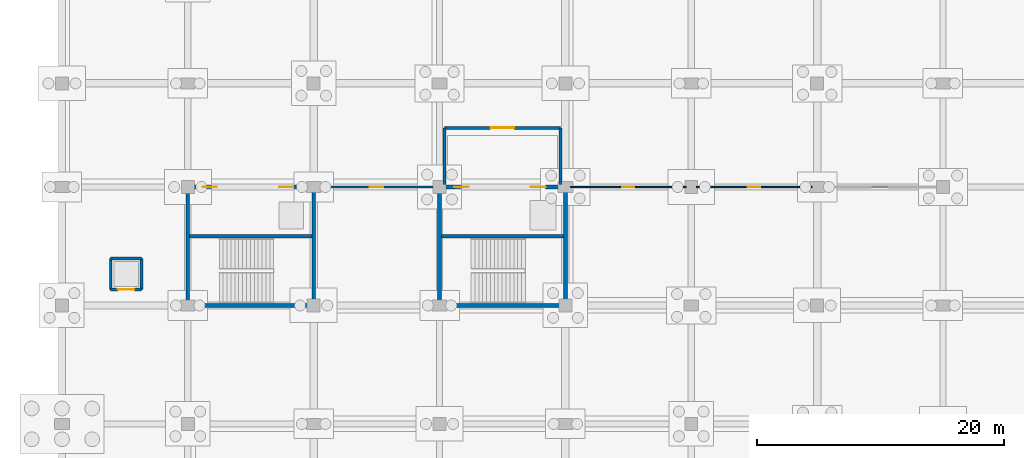
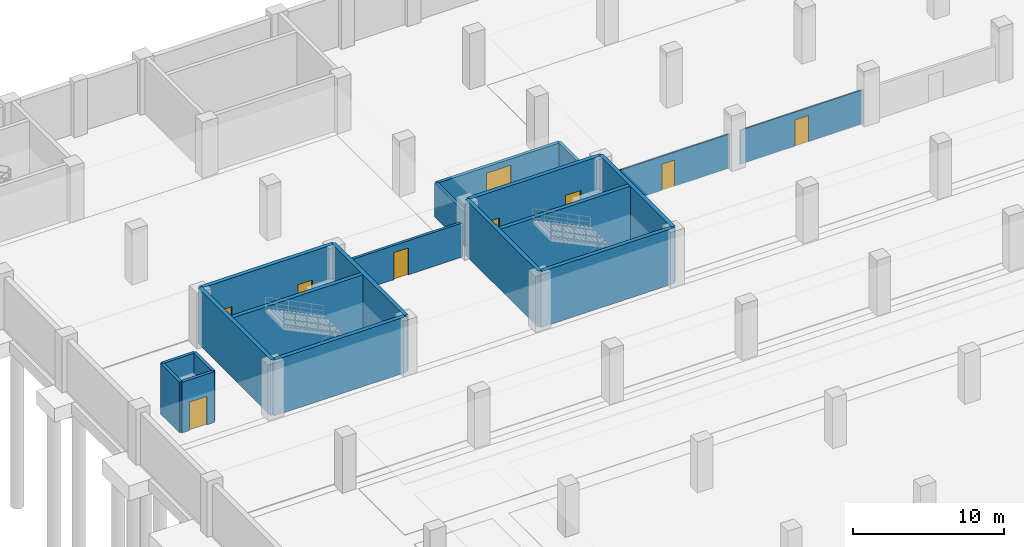
# One storey, part 32 of 52: 20 walls, 9 doors, 9 openings.
"""IFC4 building model written with IfcOpenShell, lengths in metres."""

from ifc_helpers import new_model, si_unit, direction, frame, frame_2d, origin, place, context, subcontext, project, spatial, rectangle, extrude, material, layer, layer_set, type_object, element, fill, save


model = new_model("IFC4")

# Units and contexts
model_context = context("Model", 3, precision=1e-05, world=origin(), true_north=direction((0.0, 1.0)))
body_context = subcontext(model_context, "Body", "Model", "MODEL_VIEW")
ifc_project = project(units=[si_unit("LENGTHUNIT", "METRE"), si_unit("AREAUNIT", "SQUARE_METRE"), si_unit("VOLUMEUNIT", "CUBIC_METRE"), si_unit("PLANEANGLEUNIT", "RADIAN"), si_unit("MASSUNIT", "GRAM", prefix="KILO")], contexts=[model_context])

# Site, building, storey
site_placement = place(None, origin())
site = spatial("IfcSite", under=ifc_project, at=site_placement, CompositionType="ELEMENT")
building_placement = place(site_placement, origin())
building = spatial("IfcBuilding", under=site, at=building_placement, Name="Brelvane Convention Centre", CompositionType="ELEMENT")
storey_placement = place(building_placement, frame((0.0, 0.0, -4.5)))
storey = spatial("IfcBuildingStorey", under=building, at=storey_placement, Name="B1", CompositionType="ELEMENT", Elevation=-4.5)

# Wall, opening, door
ifc_material_1 = material(Name="Fire-Rated Acoustic Gypsum Partition Board Grade A")
ifc_layer_1 = layer(ifc_material_1, 0.199951171875)
ifc_layer_set_1 = layer_set([ifc_layer_1], Name="Fire-Rated Acoustic Gypsum Partition Board Grade A")
wall_type_1 = type_object("IfcWallType", Name="Interior Wall IW-FR-200", PredefinedType="PARTITIONING", material=ifc_layer_set_1)
wall_1_placement = place(storey_placement, frame((20.800048828125, 118.800048828125, 0.0), z_axis=(0.0, 0.0, 1.0), x_axis=(1.0, 0.0, 0.0)))
wall_1 = element("IfcWall", 1, at=wall_1_placement, inside=storey, type_object=wall_type_1, Name="Interior Partition B1-LINEN", PredefinedType="PARTITIONING", context=body_context, shape_type="SweptSolid", body=[
    extrude(rectangle(XDim=9.39990234375, YDim=0.199951171875, at=frame_2d((4.699951171875, 0.0))), origin(), (0.0, 0.0, 1.0), 2.75),
])
opening_1_placement = place(wall_1_placement, frame((4.159912109375, 0.0, 0.0)))
opening_1 = element("IfcOpeningElement", 2, at=opening_1_placement, cuts=wall_1, Name="Opening DR-IN-13L", PredefinedType="OPENING", context=body_context, shape_type="SweptSolid", body=[
    extrude(rectangle(XDim=1.080078125, YDim=2.179931640625, at=frame_2d((0.5400390625, 1.08984375))), frame((0.0, 0.10986328125, 0.0), z_axis=(0.0, -1.0, 0.0), x_axis=(1.0, 0.0, 0.0)), (0.0, 0.0, 1.0), 0.219970703125),
])
ifc_material_2 = material(Name="Solid-Core Fire-Rated Hardwood Leaf Grade 1", Category="wood")
door_type_1 = type_object("IfcDoorType", Name="Interior Door DR-IN-13L", OperationType="NOTDEFINED", PredefinedType="DOOR", material=ifc_material_2)
door_1_placement = place(opening_1_placement, origin())
door_1 = element("IfcDoor", 3, at=door_1_placement, inside=storey, type_object=door_type_1, Name="Interior Door B1-LINEN (DR-IN-13L)", OperationType="SINGLE_SWING_LEFT", OverallHeight=2.179931640625, OverallWidth=1.080078125, PredefinedType="DOOR", context=body_context, shape_type="SweptSolid", body=[
    extrude(rectangle(XDim=1.080078125, YDim=2.179931640625, at=frame_2d((0.5400390625, 1.08984375))), frame((0.0, 0.02490234375, 0.0), z_axis=(0.0, -1.0, 0.0), x_axis=(1.0, 0.0, 0.0)), (0.0, 0.0, 1.0), 0.050048828125),
])
fill(opening_1, door_1)

ifc_material_3 = material(Name="Concrete M40", Category="concrete")
ifc_layer_2 = layer(ifc_material_3, 0.219970703125)
ifc_layer_set_2 = layer_set([ifc_layer_2], Name="Concrete M40")
wall_type_2 = type_object("IfcWallType", Name="Interior Wall IW-FR-220", PredefinedType="PARTITIONING", material=ifc_layer_set_2)
wall_2_placement = place(storey_placement, frame((3.949951171875, 110.5, 0.0), z_axis=(0.0, 0.0, 1.0), x_axis=(1.0, 0.0, 0.0)))
wall_2 = element("IfcWall", 4, at=wall_2_placement, inside=storey, type_object=wall_type_2, Name="Lift LP-06 Shaft Wall S (B1)", PredefinedType="PARTITIONING", context=body_context, shape_type="SweptSolid", body=[
    extrude(rectangle(XDim=2.5, YDim=0.219970703125, at=frame_2d((1.25, 0.0))), origin(), (0.0, 0.0, 1.0), 4.10009765625),
])
opening_2_placement = place(wall_2_placement, frame((0.574951171875, 0.0, 0.0)))
opening_2 = element("IfcOpeningElement", 5, at=opening_2_placement, cuts=wall_2, Name="Opening LD-03", PredefinedType="OPENING", context=body_context, shape_type="SweptSolid", body=[
    extrude(rectangle(XDim=1.35009765625, YDim=2.300048828125, at=frame_2d((0.675048828125, 1.14990234375))), frame((0.0, 0.119873046875, 0.0), z_axis=(0.0, -1.0, 0.0), x_axis=(1.0, 0.0, 0.0)), (0.0, 0.0, 1.0), 0.239990234375),
])
ifc_material_4 = material(Name="Galvanised Hollow-Metal Fire Door Steel E250", Category="steel")
door_type_2 = type_object("IfcDoorType", Name="Interior Door LD-03", OperationType="NOTDEFINED", PredefinedType="DOOR", material=ifc_material_4)
door_2_placement = place(opening_2_placement, origin())
door_2 = element("IfcDoor", 6, at=door_2_placement, inside=storey, type_object=door_type_2, Name="Lift LP-06 Landing Door (B1)", OperationType="DOUBLE_DOOR_SLIDING", OverallHeight=2.300048828125, OverallWidth=1.35009765625, PredefinedType="DOOR", context=body_context, shape_type="SweptSolid", body=[
    extrude(rectangle(XDim=1.35009765625, YDim=2.300048828125, at=frame_2d((0.675048828125, 1.14990234375))), frame((0.0, 0.02490234375, 0.0), z_axis=(0.0, -1.0, 0.0), x_axis=(1.0, 0.0, 0.0)), (0.0, 0.0, 1.0), 0.050048828125),
])
fill(opening_2, door_2)

# Walls
for number, where, z_axis, x_axis, name in (
    (7, (3.949951171875, 113.0, 0.0), (0.0, 0.0, 1.0), (1.0, 0.0, 0.0), "Lift LP-06 Shaft Wall N (B1)"),
    (8, (3.949951171875, 110.5, 0.0), (0.0, 0.0, 1.0), (0.0, 1.0, 0.0), "Lift LP-06 Shaft Wall W (B1)"),
    (9, (6.449951171875, 110.5, 0.0), (0.0, 0.0, 1.0), (0.0, 1.0, 0.0), "Lift LP-06 Shaft Wall E (B1)"),
):
    element("IfcWall", number, at=place(storey_placement, frame(where, z_axis=z_axis, x_axis=x_axis)), inside=storey, type_object=wall_type_2, Name=name, PredefinedType="PARTITIONING", context=body_context, shape_type="SweptSolid", body=[
        extrude(rectangle(XDim=2.5, YDim=0.219970703125, at=frame_2d((1.25, 0.0))), origin(), (0.0, 0.0, 1.0), 4.10009765625),
    ])

# Wall, opening, door
ifc_material_5 = material(Name="Concrete M40", Category="concrete")
ifc_layer_3 = layer(ifc_material_5, 0.239990234375)
ifc_layer_set_3 = layer_set([ifc_layer_3], Name="Concrete M40")
wall_type_3 = type_object("IfcWallType", Name="Interior Wall IW-FR-240", PredefinedType="PARTITIONING", material=ifc_layer_set_3)
wall_3_placement = place(storey_placement, frame((31.0, 123.60009765625, 0.0), z_axis=(0.0, 0.0, 1.0), x_axis=(1.0, 0.0, 0.0)))
wall_3 = element("IfcWall", 10, at=wall_3_placement, inside=storey, type_object=wall_type_3, Name="Firefighting Lobby C7 Wall N (B1)", PredefinedType="PARTITIONING", context=body_context, shape_type="SweptSolid", body=[
    extrude(rectangle(XDim=9.39990234375, YDim=0.239990234375, at=frame_2d((4.699951171875, 0.0))), origin(), (0.0, 0.0, 1.0), 2.75),
])
opening_3_placement = place(wall_3_placement, frame((3.75, 0.0, 0.0)))
opening_3 = element("IfcOpeningElement", 11, at=opening_3_placement, cuts=wall_3, Name="Opening DR-FL-01", PredefinedType="OPENING", context=body_context, shape_type="SweptSolid", body=[
    extrude(rectangle(XDim=1.89990234375, YDim=2.25, at=frame_2d((0.949951171875, 1.125))), frame((0.0, 0.1298828125, 0.0), z_axis=(0.0, -1.0, 0.0), x_axis=(1.0, 0.0, 0.0)), (0.0, 0.0, 1.0), 0.260009765625),
])
ifc_material_6 = material(Name="Galvanised Hollow-Metal Fire Door Steel E250", Category="steel")
door_type_3 = type_object("IfcDoorType", Name="Interior Door DR-FL-01", OperationType="NOTDEFINED", PredefinedType="DOOR", material=ifc_material_6)
door_3_placement = place(opening_3_placement, origin())
door_3 = element("IfcDoor", 12, at=door_3_placement, inside=storey, type_object=door_type_3, Name="Firefighting Lobby C7 Smoke Door (B1)", OperationType="DOUBLE_DOOR_SINGLE_SWING", OverallHeight=2.25, OverallWidth=1.89990234375, PredefinedType="DOOR", context=body_context, shape_type="SweptSolid", body=[
    extrude(rectangle(XDim=1.89990234375, YDim=2.25, at=frame_2d((0.949951171875, 1.125))), frame((0.0, 0.02490234375, 0.0), z_axis=(0.0, -1.0, 0.0), x_axis=(1.0, 0.0, 0.0)), (0.0, 0.0, 1.0), 0.050048828125),
])
fill(opening_3, door_3)

# Walls
for number, where, z_axis, x_axis, name in (
    (13, (40.39990234375, 119.0, 0.0), (0.0, 0.0, 1.0), (0.0, 1.0, 0.0), "Firefighting Lobby C7 Wall E (B1)"),
    (14, (31.0, 119.0, 0.0), (0.0, 0.0, 1.0), (0.0, 1.0, 0.0), "Firefighting Lobby C7 Wall W (B1)"),
):
    element("IfcWall", number, at=place(storey_placement, frame(where, z_axis=z_axis, x_axis=x_axis)), inside=storey, type_object=wall_type_3, Name=name, PredefinedType="PARTITIONING", context=body_context, shape_type="SweptSolid", body=[
        extrude(rectangle(XDim=4.60009765625, YDim=0.239990234375, at=frame_2d((2.300048828125, 0.0))), origin(), (0.0, 0.0, 1.0), 2.75),
    ])

# Wall, opening, door
ifc_material_7 = material(Name="Fire-Rated Acoustic Gypsum Partition Board Grade A")
ifc_layer_4 = layer(ifc_material_7, 0.10498046875)
ifc_layer_set_4 = layer_set([ifc_layer_4], Name="Fire-Rated Acoustic Gypsum Partition Board Grade A")
wall_type_4 = type_object("IfcWallType", Name="Interior Wall IW-PT-105", PredefinedType="PARTITIONING", material=ifc_layer_set_4)
wall_4_placement = place(storey_placement, frame((51.39990234375, 118.800048828125, 0.0), z_axis=(0.0, 0.0, 1.0), x_axis=(1.0, 0.0, 0.0)))
wall_4 = element("IfcWall", 15, at=wall_4_placement, inside=storey, type_object=wall_type_4, Name="Interior Partition B1-COLDK2", PredefinedType="PARTITIONING", context=body_context, shape_type="SweptSolid", body=[
    extrude(rectangle(XDim=9.400146484375, YDim=0.10498046875, at=frame_2d((4.7001953125, 0.0))), origin(), (0.0, 0.0, 1.0), 2.75),
])
opening_4_placement = place(wall_4_placement, frame((4.18994140625, 0.0, 0.0)))
opening_4 = element("IfcOpeningElement", 16, at=opening_4_placement, cuts=wall_4, Name="Opening DR-IN-12R", PredefinedType="OPENING", context=body_context, shape_type="SweptSolid", body=[
    extrude(rectangle(XDim=1.02001953125, YDim=2.1201171875, at=frame_2d((0.510009765625, 1.06005859375))), frame((0.0, 0.0625, 0.0), z_axis=(0.0, -1.0, 0.0), x_axis=(1.0, 0.0, 0.0)), (0.0, 0.0, 1.0), 0.125),
])
ifc_material_8 = material(Name="Solid-Core Fire-Rated Hardwood Leaf Grade 1", Category="wood")
door_type_4 = type_object("IfcDoorType", Name="Interior Door DR-IN-12R", OperationType="NOTDEFINED", PredefinedType="DOOR", material=ifc_material_8)
door_4_placement = place(opening_4_placement, origin())
door_4 = element("IfcDoor", 17, at=door_4_placement, inside=storey, type_object=door_type_4, Name="Interior Door B1-COLDK2 (DR-IN-12R)", OperationType="SINGLE_SWING_RIGHT", OverallHeight=2.1201171875, OverallWidth=1.02001953125, PredefinedType="DOOR", context=body_context, shape_type="SweptSolid", body=[
    extrude(rectangle(XDim=1.02001953125, YDim=2.1201171875, at=frame_2d((0.510009765625, 1.06005859375))), frame((0.0, 0.02490234375, 0.0), z_axis=(0.0, -1.0, 0.0), x_axis=(1.0, 0.0, 0.0)), (0.0, 0.0, 1.0), 0.050048828125),
])
fill(opening_4, door_4)

ifc_material_9 = material(Name="Fire-Rated Acoustic Gypsum Partition Board Grade A")
ifc_layer_5 = layer(ifc_material_9, 0.114990234375)
ifc_layer_set_5 = layer_set([ifc_layer_5], Name="Fire-Rated Acoustic Gypsum Partition Board Grade A")
wall_type_5 = type_object("IfcWallType", Name="Interior Wall IW-PT-115", PredefinedType="PARTITIONING", material=ifc_layer_set_5)
wall_5_placement = place(storey_placement, frame((41.199951171875, 118.800048828125, 0.0), z_axis=(0.0, 0.0, 1.0), x_axis=(1.0, 0.0, 0.0)))
wall_5 = element("IfcWall", 18, at=wall_5_placement, inside=storey, type_object=wall_type_5, Name="Interior Partition B1-COLDK", PredefinedType="PARTITIONING", context=body_context, shape_type="SweptSolid", body=[
    extrude(rectangle(XDim=9.400146484375, YDim=0.114990234375, at=frame_2d((4.7001953125, 0.0))), origin(), (0.0, 0.0, 1.0), 2.75),
])
opening_5_placement = place(wall_5_placement, frame((4.2099609375, 0.0, 0.0)))
opening_5 = element("IfcOpeningElement", 19, at=opening_5_placement, cuts=wall_5, Name="Opening DR-IN-12L", PredefinedType="OPENING", context=body_context, shape_type="SweptSolid", body=[
    extrude(rectangle(XDim=0.97998046875, YDim=2.1201171875, at=frame_2d((0.489990234375, 1.06005859375))), frame((0.0, 0.0673828125, 0.0), z_axis=(0.0, -1.0, 0.0), x_axis=(1.0, 0.0, 0.0)), (0.0, 0.0, 1.0), 0.135009765625),
])
ifc_material_10 = material(Name="Solid-Core Fire-Rated Hardwood Leaf Grade 1", Category="wood")
door_type_5 = type_object("IfcDoorType", Name="Interior Door DR-IN-12L", OperationType="NOTDEFINED", PredefinedType="DOOR", material=ifc_material_10)
door_5_placement = place(opening_5_placement, origin())
door_5 = element("IfcDoor", 20, at=door_5_placement, inside=storey, type_object=door_type_5, Name="Interior Door B1-COLDK (DR-IN-12L)", OperationType="SINGLE_SWING_LEFT", OverallHeight=2.1201171875, OverallWidth=0.97998046875, PredefinedType="DOOR", context=body_context, shape_type="SweptSolid", body=[
    extrude(rectangle(XDim=0.97998046875, YDim=2.1201171875, at=frame_2d((0.489990234375, 1.06005859375))), frame((0.0, 0.02490234375, 0.0), z_axis=(0.0, -1.0, 0.0), x_axis=(1.0, 0.0, 0.0)), (0.0, 0.0, 1.0), 0.050048828125),
])
fill(opening_5, door_5)

# Wall
ifc_material_11 = material(Name="Concrete M50", Category="concrete")
ifc_layer_6 = layer(ifc_material_11, 0.300048828125)
ifc_layer_set_6 = layer_set([ifc_layer_6], Name="Concrete M50")
wall_type_6 = type_object("IfcWallType", Name="Structural Wall WL-CORE-300", PredefinedType="SHEAR", material=ifc_layer_set_6)
wall_6_placement = place(storey_placement, frame((10.199951171875, 109.199951171875, 0.0), z_axis=(0.0, 0.0, 1.0), x_axis=(1.0, 0.0, 0.0)))
element("IfcWall", 21, at=wall_6_placement, inside=storey, type_object=wall_type_6, Name="Core C6 Shear Wall S (B1)", PredefinedType="SHEAR", context=body_context, shape_type="SweptSolid", body=[
    extrude(rectangle(XDim=10.199951171875, YDim=0.300048828125, at=frame_2d((5.10009765625, 0.0))), origin(), (0.0, 0.0, 1.0), 4.5),
])

# Wall, openings, doors
wall_7_placement = place(storey_placement, frame((10.199951171875, 118.800048828125, 0.0), z_axis=(0.0, 0.0, 1.0), x_axis=(1.0, 0.0, 0.0)))
wall_7 = element("IfcWall", 22, at=wall_7_placement, inside=storey, type_object=wall_type_6, Name="Core C6 Shear Wall N (B1)", PredefinedType="SHEAR", context=body_context, shape_type="SweptSolid", body=[
    extrude(rectangle(XDim=10.199951171875, YDim=0.300048828125, at=frame_2d((5.10009765625, 0.0))), origin(), (0.0, 0.0, 1.0), 4.5),
])
opening_6_placement = place(wall_7_placement, frame((1.199951171875, 0.0, 0.0)))
opening_6 = element("IfcOpeningElement", 23, at=opening_6_placement, cuts=wall_7, Name="Opening DR-IN-04L", PredefinedType="OPENING", context=body_context, shape_type="SweptSolid", body=[
    extrude(rectangle(XDim=1.159912109375, YDim=2.199951171875, at=frame_2d((0.580078125, 1.10009765625))), frame((0.0, 0.159912109375, 0.0), z_axis=(0.0, -1.0, 0.0), x_axis=(1.0, 0.0, 0.0)), (0.0, 0.0, 1.0), 0.320068359375),
])
opening_7_placement = place(wall_7_placement, frame((7.39990234375, 0.0, 0.0)))
opening_7 = element("IfcOpeningElement", 24, at=opening_7_placement, cuts=wall_7, Name="Opening LD-02", PredefinedType="OPENING", context=body_context, shape_type="SweptSolid", body=[
    extrude(rectangle(XDim=1.10009765625, YDim=2.199951171875, at=frame_2d((0.550048828125, 1.10009765625))), frame((0.0, 0.159912109375, 0.0), z_axis=(0.0, -1.0, 0.0), x_axis=(1.0, 0.0, 0.0)), (0.0, 0.0, 1.0), 0.320068359375),
])
ifc_material_12 = material(Name="Galvanised Hollow-Metal Fire Door Steel E250", Category="steel")
door_type_6 = type_object("IfcDoorType", Name="Interior Door DR-IN-04L", OperationType="NOTDEFINED", PredefinedType="DOOR", material=ifc_material_12)
door_6_placement = place(opening_6_placement, origin())
door_6 = element("IfcDoor", 25, at=door_6_placement, inside=storey, type_object=door_type_6, Name="Stair ST-06 Door (B1)", OperationType="SINGLE_SWING_LEFT", OverallHeight=2.199951171875, OverallWidth=1.159912109375, PredefinedType="DOOR", context=body_context, shape_type="SweptSolid", body=[
    extrude(rectangle(XDim=1.159912109375, YDim=2.199951171875, at=frame_2d((0.580078125, 1.10009765625))), frame((0.0, 0.02490234375, 0.0), z_axis=(0.0, -1.0, 0.0), x_axis=(1.0, 0.0, 0.0)), (0.0, 0.0, 1.0), 0.050048828125),
])
fill(opening_6, door_6)
ifc_material_13 = material(Name="Galvanised Hollow-Metal Fire Door Steel E250", Category="steel")
door_type_7 = type_object("IfcDoorType", Name="Interior Door LD-02", OperationType="NOTDEFINED", PredefinedType="DOOR", material=ifc_material_13)
door_7_placement = place(opening_7_placement, origin())
door_7 = element("IfcDoor", 26, at=door_7_placement, inside=storey, type_object=door_type_7, Name="Lift LP-03 Landing Door (B1)", OperationType="SLIDING_TO_RIGHT", OverallHeight=2.199951171875, OverallWidth=1.10009765625, PredefinedType="DOOR", context=body_context, shape_type="SweptSolid", body=[
    extrude(rectangle(XDim=1.10009765625, YDim=2.199951171875, at=frame_2d((0.550048828125, 1.10009765625))), frame((0.0, 0.02490234375, 0.0), z_axis=(0.0, -1.0, 0.0), x_axis=(1.0, 0.0, 0.0)), (0.0, 0.0, 1.0), 0.050048828125),
])
fill(opening_7, door_7)

# Walls
for number, where, z_axis, x_axis, name in (
    (27, (10.199951171875, 109.199951171875, 0.0), (0.0, 0.0, 1.0), (0.0, 1.0, 0.0), "Core C6 Shear Wall W (B1)"),
    (28, (20.39990234375, 109.199951171875, 0.0), (0.0, 0.0, 1.0), (0.0, 1.0, 0.0), "Core C6 Shear Wall E (B1)"),
):
    element("IfcWall", number, at=place(storey_placement, frame(where, z_axis=z_axis, x_axis=x_axis)), inside=storey, type_object=wall_type_6, Name=name, PredefinedType="SHEAR", context=body_context, shape_type="SweptSolid", body=[
        extrude(rectangle(XDim=9.60009765625, YDim=0.300048828125, at=frame_2d((4.800048828125, 0.0))), origin(), (0.0, 0.0, 1.0), 4.5),
    ])
wall_8_placement = place(storey_placement, frame((30.60009765625, 109.199951171875, 0.0), z_axis=(0.0, 0.0, 1.0), x_axis=(1.0, 0.0, 0.0)))
element("IfcWall", 29, at=wall_8_placement, inside=storey, type_object=wall_type_6, Name="Core C7 Shear Wall S (B1)", PredefinedType="SHEAR", context=body_context, shape_type="SweptSolid", body=[
    extrude(rectangle(XDim=10.199951171875, YDim=0.300048828125, at=frame_2d((5.10009765625, 0.0))), origin(), (0.0, 0.0, 1.0), 4.5),
])

# Wall, openings, doors
wall_9_placement = place(storey_placement, frame((30.60009765625, 118.800048828125, 0.0), z_axis=(0.0, 0.0, 1.0), x_axis=(1.0, 0.0, 0.0)))
wall_9 = element("IfcWall", 30, at=wall_9_placement, inside=storey, type_object=wall_type_6, Name="Core C7 Shear Wall N (B1)", PredefinedType="SHEAR", context=body_context, shape_type="SweptSolid", body=[
    extrude(rectangle(XDim=10.199951171875, YDim=0.300048828125, at=frame_2d((5.10009765625, 0.0))), origin(), (0.0, 0.0, 1.0), 4.5),
])
opening_8_placement = place(wall_9_placement, frame((1.199951171875, 0.0, 0.0)))
opening_8 = element("IfcOpeningElement", 31, at=opening_8_placement, cuts=wall_9, Name="Opening DR-IN-04L", PredefinedType="OPENING", context=body_context, shape_type="SweptSolid", body=[
    extrude(rectangle(XDim=1.159912109375, YDim=2.199951171875, at=frame_2d((0.580078125, 1.10009765625))), frame((0.0, 0.159912109375, 0.0), z_axis=(0.0, -1.0, 0.0), x_axis=(1.0, 0.0, 0.0)), (0.0, 0.0, 1.0), 0.320068359375),
])
opening_9_placement = place(wall_9_placement, frame((7.39990234375, 0.0, 0.0)))
opening_9 = element("IfcOpeningElement", 32, at=opening_9_placement, cuts=wall_9, Name="Opening LD-01", PredefinedType="OPENING", context=body_context, shape_type="SweptSolid", body=[
    extrude(rectangle(XDim=1.199951171875, YDim=2.25, at=frame_2d((0.60009765625, 1.125))), frame((0.0, 0.159912109375, 0.0), z_axis=(0.0, -1.0, 0.0), x_axis=(1.0, 0.0, 0.0)), (0.0, 0.0, 1.0), 0.320068359375),
])
door_8_placement = place(opening_8_placement, origin())
door_8 = element("IfcDoor", 33, at=door_8_placement, inside=storey, type_object=door_type_6, Name="Stair ST-07 Door (B1)", OperationType="SINGLE_SWING_LEFT", OverallHeight=2.199951171875, OverallWidth=1.159912109375, PredefinedType="DOOR", context=body_context, shape_type="SweptSolid", body=[
    extrude(rectangle(XDim=1.159912109375, YDim=2.199951171875, at=frame_2d((0.580078125, 1.10009765625))), frame((0.0, 0.02490234375, 0.0), z_axis=(0.0, -1.0, 0.0), x_axis=(1.0, 0.0, 0.0)), (0.0, 0.0, 1.0), 0.050048828125),
])
fill(opening_8, door_8)
ifc_material_14 = material(Name="Galvanised Hollow-Metal Fire Door Steel E250", Category="steel")
door_type_8 = type_object("IfcDoorType", Name="Interior Door LD-01", OperationType="NOTDEFINED", PredefinedType="DOOR", material=ifc_material_14)
door_9_placement = place(opening_9_placement, origin())
door_9 = element("IfcDoor", 34, at=door_9_placement, inside=storey, type_object=door_type_8, Name="Lift LF-04 Landing Door (B1)", OperationType="SLIDING_TO_LEFT", OverallHeight=2.25, OverallWidth=1.199951171875, PredefinedType="DOOR", context=body_context, shape_type="SweptSolid", body=[
    extrude(rectangle(XDim=1.199951171875, YDim=2.25, at=frame_2d((0.60009765625, 1.125))), frame((0.0, 0.02490234375, 0.0), z_axis=(0.0, -1.0, 0.0), x_axis=(1.0, 0.0, 0.0)), (0.0, 0.0, 1.0), 0.050048828125),
])
fill(opening_9, door_9)

# Walls
for number, where, z_axis, x_axis, name in (
    (35, (30.60009765625, 109.199951171875, 0.0), (0.0, 0.0, 1.0), (0.0, 1.0, 0.0), "Core C7 Shear Wall W (B1)"),
    (36, (40.800048828125, 109.199951171875, 0.0), (0.0, 0.0, 1.0), (0.0, 1.0, 0.0), "Core C7 Shear Wall E (B1)"),
):
    element("IfcWall", number, at=place(storey_placement, frame(where, z_axis=z_axis, x_axis=x_axis)), inside=storey, type_object=wall_type_6, Name=name, PredefinedType="SHEAR", context=body_context, shape_type="SweptSolid", body=[
        extrude(rectangle(XDim=9.60009765625, YDim=0.300048828125, at=frame_2d((4.800048828125, 0.0))), origin(), (0.0, 0.0, 1.0), 4.5),
    ])
for number, where, z_axis, x_axis, name in (
    (37, (10.35009765625, 114.800048828125, 0.0), (0.0, 0.0, 1.0), (1.0, 0.0, 0.0), "Core C6 Shaft Divider Wall (B1)"),
    (38, (30.75, 114.800048828125, 0.0), (0.0, 0.0, 1.0), (1.0, 0.0, 0.0), "Core C7 Shaft Divider Wall (B1)"),
):
    element("IfcWall", number, at=place(storey_placement, frame(where, z_axis=z_axis, x_axis=x_axis)), inside=storey, type_object=wall_type_6, Name=name, PredefinedType="SHEAR", context=body_context, shape_type="SweptSolid", body=[
        extrude(rectangle(XDim=9.89990234375, YDim=0.300048828125, at=frame_2d((4.949951171875, 0.0))), origin(), (0.0, 0.0, 1.0), 4.5),
    ])

save(model, "model.ifc")
